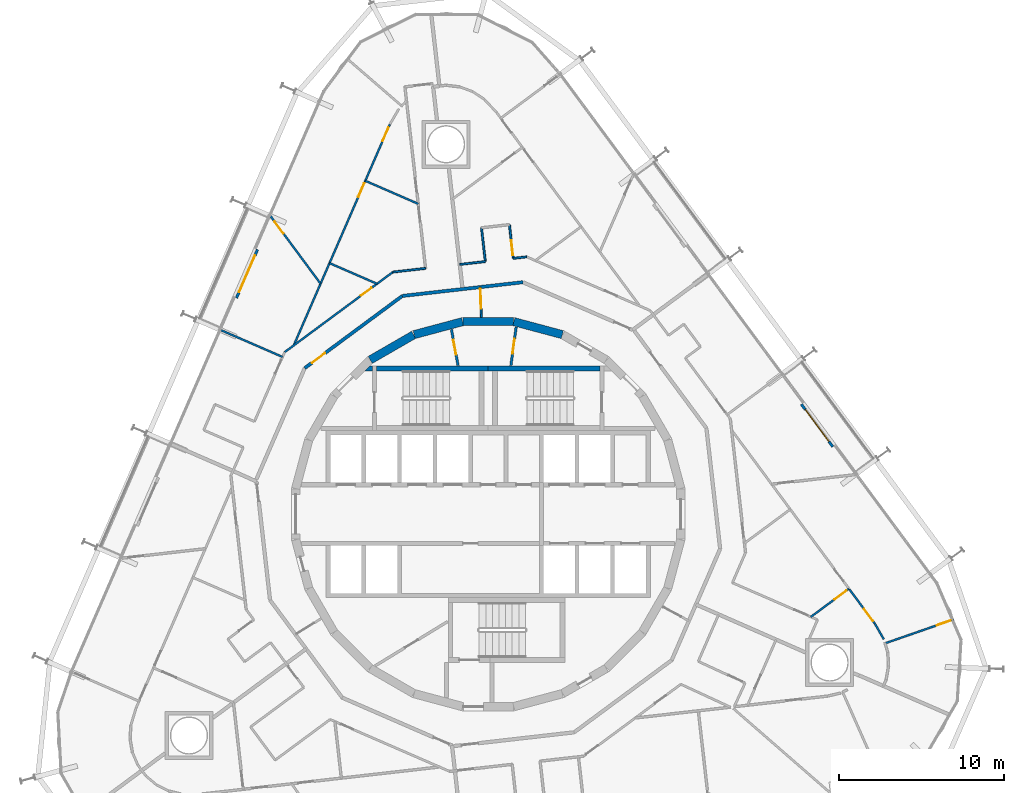
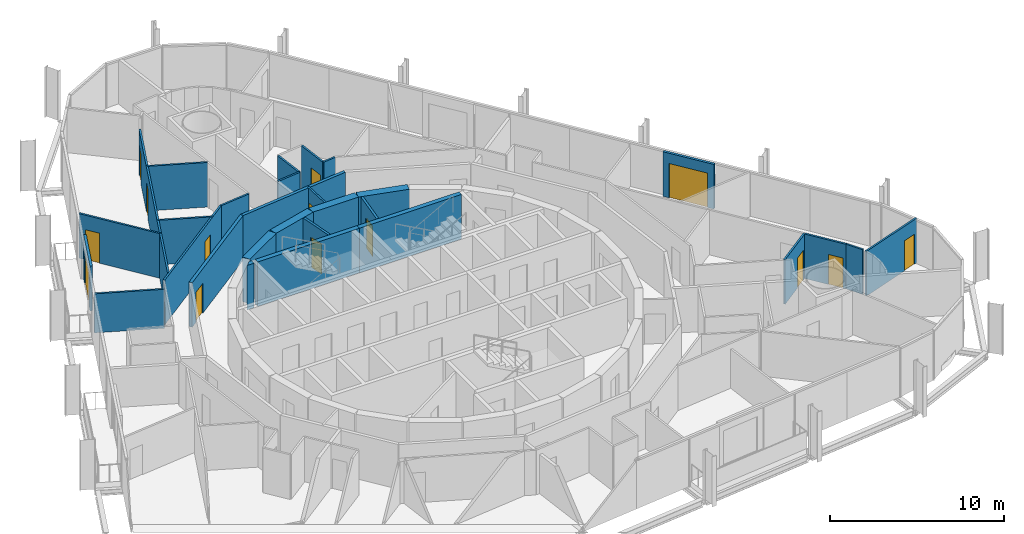
# One storey, part 18 of 21: 29 walls, 14 doors, 14 openings.
"""IFC4 building model written with IfcOpenShell, lengths in metres."""

from ifc_helpers import new_model, si_unit, direction, frame, frame_2d, origin, place, context, subcontext, project, spatial, polyline, rectangle, outline, extrude, material, layer, layer_set, type_object, element, fill, save


model = new_model("IFC4")

# Units and contexts
model_context = context("Model", 3, precision=1e-05, world=origin(), true_north=direction((0.0, 1.0)))
body_context = subcontext(model_context, "Body", "Model", "MODEL_VIEW")
ifc_project = project(units=[si_unit("LENGTHUNIT", "METRE"), si_unit("AREAUNIT", "SQUARE_METRE"), si_unit("VOLUMEUNIT", "CUBIC_METRE"), si_unit("PLANEANGLEUNIT", "RADIAN"), si_unit("MASSUNIT", "GRAM", prefix="KILO")], contexts=[model_context])

# Site, building, storey
site_placement = place(None, origin())
site = spatial("IfcSite", under=ifc_project, at=site_placement, CompositionType="ELEMENT")
building_placement = place(site_placement, origin())
building = spatial("IfcBuilding", under=site, at=building_placement, Name="Spindle Arch Residences", CompositionType="ELEMENT")
storey_placement = place(building_placement, frame((0.0, 0.0, 97.699951171875)))
storey = spatial("IfcBuildingStorey", under=building, at=storey_placement, Name="L23", CompositionType="ELEMENT", Elevation=97.699951171875)

# Walls
ifc_material_1 = material(Name="Concrete C50/60", Category="concrete")
ifc_layer_1 = layer(ifc_material_1, 0.5)
ifc_layer_set_1 = layer_set([ifc_layer_1], Name="Core outline wall 500")
wall_type_1 = type_object("IfcWallType", Name="Core outline wall 500", PredefinedType="SHEAR", material=ifc_layer_set_1)
for number, where, z_axis, x_axis, name in (
    (1, (4.479248046875, 10.858154296875, 0.0), (0.0, 0.0, 1.0), (-0.965948410781, 0.258734743916, 0.0), "Core outline wall 11"),
    (2, (1.516357421875, 11.647216796875, 0.0), (0.0, 0.0, 1.0), (-1.0, 0.0, 0.0), "Core outline wall 12"),
    (3, (-1.5498046875, 11.642822265625, 0.0), (0.0, 0.0, 1.0), (-0.965948410781, -0.258734743916, 0.0), "Core outline wall 13"),
    (4, (-4.510498046875, 10.84521484375, 0.0), (0.0, 0.0, 1.0), (-0.865975092491, -0.500087131594, 0.0), "Core outline wall 14"),
):
    element("IfcWall", number, at=place(storey_placement, frame(where, z_axis=z_axis, x_axis=x_axis)), inside=storey, type_object=wall_type_1, Name=name, PredefinedType="SHEAR", context=body_context, shape_type="SweptSolid", body=[
        extrude(rectangle(XDim=3.03271484375, YDim=0.5, at=frame_2d((1.516357421875, 0.0))), origin(), (0.0, 0.0, 1.0), 3.1201171875),
    ])

# Wall, opening, door
ifc_material_2 = material(Name="Plasterboard on steel studs", Category="steel")
ifc_layer_2 = layer(ifc_material_2, 0.1201171875)
ifc_layer_set_2 = layer_set([ifc_layer_2], Name="Corridor division wall 120")
wall_type_2 = type_object("IfcWallType", Name="Corridor division wall 120", PredefinedType="PARTITIONING", material=ifc_layer_set_2)
wall_1_placement = place(storey_placement, frame((-0.4794921875, 13.73388671875, 0.0), z_axis=(0.0, 0.0, 1.0), x_axis=(0.034805430832, -0.999394107439, 0.0)))
wall_1 = element("IfcWall", 5, at=wall_1_placement, inside=storey, type_object=wall_type_2, Name="Corridor division wall R2C0-W001", PredefinedType="PARTITIONING", context=body_context, shape_type="SweptSolid", body=[
    extrude(rectangle(XDim=1.837890625, YDim=0.1201171875, at=frame_2d((0.9189453125, 0.0))), origin(), (0.0, 0.0, 1.0), 3.1201171875),
])
opening_1_placement = place(wall_1_placement, frame((0.114990234375, 0.0, 0.0)))
opening_1 = element("IfcOpeningElement", 6, at=opening_1_placement, cuts=wall_1, Name="Opening R2C0-CD01", PredefinedType="OPENING", context=body_context, shape_type="SweptSolid", body=[
    extrude(rectangle(XDim=1.199951171875, YDim=2.10009765625, at=frame_2d((0.60009765625, 1.050048828125))), frame((0.0, 0.070068359375, 0.0), z_axis=(0.0, -1.0, 0.0), x_axis=(1.0, 0.0, 0.0)), (0.0, 0.0, 1.0), 0.14013671875),
])
ifc_material_3 = material(Name="Steel, fire-resisting door", Category="steel")
door_type_1 = type_object("IfcDoorType", Name="Corridor division door 1200x2100", OperationType="NOTDEFINED", PredefinedType="DOOR", material=ifc_material_3)
door_1_placement = place(opening_1_placement, origin())
door_1 = element("IfcDoor", 7, at=door_1_placement, inside=storey, type_object=door_type_1, Name="Corridor division door R2C0-CD01", OperationType="DOUBLE_DOOR_SINGLE_SWING", OverallHeight=2.10009765625, OverallWidth=1.199951171875, PredefinedType="DOOR", context=body_context, shape_type="SweptSolid", body=[
    extrude(rectangle(XDim=1.199951171875, YDim=2.10009765625, at=frame_2d((0.60009765625, 1.050048828125))), frame((0.0, 0.02490234375, 0.0), z_axis=(0.0, -1.0, 0.0), x_axis=(1.0, 0.0, 0.0)), (0.0, 0.0, 1.0), 0.050048828125),
])
fill(opening_1, door_1)

# Wall
ifc_material_4 = material(Name="Calcium silicate block, plastered")
ifc_layer_3 = layer(ifc_material_4, 0.199951171875)
ifc_layer_set_3 = layer_set([ifc_layer_3], Name="Corridor wall 200")
wall_type_3 = type_object("IfcWallType", Name="Corridor wall 200", PredefinedType="STANDARD", material=ifc_layer_set_3)
wall_2_placement = place(storey_placement, frame((2.096435546875, 14.027587890625, 0.0), z_axis=(0.0, 0.0, 1.0), x_axis=(-0.993569170114, -0.113226782163, 0.0)))
element("IfcWall", 8, at=wall_2_placement, inside=storey, type_object=wall_type_3, Name="Corridor wall R2C0-W008", PredefinedType="STANDARD", context=body_context, shape_type="SweptSolid", body=[
    extrude(rectangle(XDim=7.341796875, YDim=0.199951171875, at=frame_2d((3.6708984375, 0.0))), origin(), (0.0, 0.0, 1.0), 3.1201171875),
])

# Wall, opening, door
wall_3_placement = place(storey_placement, frame((-5.1982421875, 13.1962890625, 0.0), z_axis=(0.0, 0.0, 1.0), x_axis=(-0.803869883159, -0.594805187394, 0.0)))
wall_3 = element("IfcWall", 9, at=wall_3_placement, inside=storey, type_object=wall_type_3, Name="Corridor wall R2C0-W009", PredefinedType="STANDARD", context=body_context, shape_type="SweptSolid", body=[
    extrude(rectangle(XDim=7.341796875, YDim=0.199951171875, at=frame_2d((3.6708984375, 0.0))), origin(), (0.0, 0.0, 1.0), 3.1201171875),
])
opening_2_placement = place(wall_3_placement, frame((5.800048828125, 0.0, 0.0)))
opening_2 = element("IfcOpeningElement", 10, at=opening_2_placement, cuts=wall_3, Name="Opening R2C0-FD03", PredefinedType="OPENING", context=body_context, shape_type="SweptSolid", body=[
    extrude(rectangle(XDim=1.0, YDim=2.10009765625, at=frame_2d((0.5, 1.050048828125))), frame((0.0, 0.10986328125, 0.0), z_axis=(0.0, -1.0, 0.0), x_axis=(1.0, 0.0, 0.0)), (0.0, 0.0, 1.0), 0.219970703125),
])
ifc_material_5 = material(Name="Timber, fire-resisting door set", Category="wood")
door_type_2 = type_object("IfcDoorType", Name="Flat entrance door 1000x2100", OperationType="NOTDEFINED", PredefinedType="DOOR", material=ifc_material_5)
door_2_placement = place(opening_2_placement, origin())
door_2 = element("IfcDoor", 11, at=door_2_placement, inside=storey, type_object=door_type_2, Name="Flat entrance door R2C0-FD03", OperationType="SINGLE_SWING_LEFT", OverallHeight=2.10009765625, OverallWidth=1.0, PredefinedType="DOOR", context=body_context, shape_type="SweptSolid", body=[
    extrude(rectangle(XDim=1.0, YDim=2.10009765625, at=frame_2d((0.5, 1.050048828125))), frame((0.0, 0.02490234375, 0.0), z_axis=(0.0, -1.0, 0.0), x_axis=(1.0, 0.0, 0.0)), (0.0, 0.0, 1.0), 0.050048828125),
])
fill(opening_2, door_2)

ifc_material_6 = material(Name="Plasterboard on steel studs", Category="steel")
ifc_layer_4 = layer(ifc_material_6, 0.1201171875)
ifc_layer_set_4 = layer_set([ifc_layer_4], Name="Flat partition 120")
wall_type_4 = type_object("IfcWallType", Name="Flat partition 120", PredefinedType="PARTITIONING", material=ifc_layer_set_4)
wall_4_placement = place(storey_placement, frame((28.161865234375, -6.367919921875, 0.0), z_axis=(0.0, 0.0, 1.0), x_axis=(-0.94463429878, -0.328125039534, 0.0)))
wall_4 = element("IfcWall", 12, at=wall_4_placement, inside=storey, type_object=wall_type_4, Name="Flat partition R2C0-W046", PredefinedType="PARTITIONING", context=body_context, shape_type="SweptSolid", body=[
    extrude(rectangle(XDim=4.40478515625, YDim=0.1201171875, at=frame_2d((2.202392578125, 0.0))), origin(), (0.0, 0.0, 1.0), 3.1201171875),
])
opening_3_placement = place(wall_4_placement, frame((0.199951171875, 0.0, 0.0)))
opening_3 = element("IfcOpeningElement", 13, at=opening_3_placement, cuts=wall_4, Name="Opening R2C0-ID06", PredefinedType="OPENING", context=body_context, shape_type="SweptSolid", body=[
    extrude(rectangle(XDim=0.89990234375, YDim=2.10009765625, at=frame_2d((0.449951171875, 1.050048828125))), frame((0.0, 0.070068359375, 0.0), z_axis=(0.0, -1.0, 0.0), x_axis=(1.0, 0.0, 0.0)), (0.0, 0.0, 1.0), 0.14013671875),
])
ifc_material_7 = material(Name="Timber door set", Category="wood")
door_type_3 = type_object("IfcDoorType", Name="Room door 900x2100", OperationType="NOTDEFINED", PredefinedType="DOOR", material=ifc_material_7)
door_3_placement = place(opening_3_placement, origin())
door_3 = element("IfcDoor", 14, at=door_3_placement, inside=storey, type_object=door_type_3, Name="Room door R2C0-ID06", OperationType="SINGLE_SWING_LEFT", OverallHeight=2.10009765625, OverallWidth=0.89990234375, PredefinedType="DOOR", context=body_context, shape_type="SweptSolid", body=[
    extrude(rectangle(XDim=0.89990234375, YDim=2.10009765625, at=frame_2d((0.449951171875, 1.050048828125))), frame((0.0, 0.02490234375, 0.0), z_axis=(0.0, -1.0, 0.0), x_axis=(1.0, 0.0, 0.0)), (0.0, 0.0, 1.0), 0.050048828125),
])
fill(opening_3, door_3)

wall_5_placement = place(storey_placement, frame((21.818359375, -4.5078125, 0.0), z_axis=(0.0, 0.0, 1.0), x_axis=(-0.803875276339, -0.594797898526, 0.0)))
wall_5 = element("IfcWall", 15, at=wall_5_placement, inside=storey, type_object=wall_type_4, Name="Flat partition R2C0-W047", PredefinedType="PARTITIONING", context=body_context, shape_type="SweptSolid", body=[
    extrude(rectangle(XDim=2.867919921875, YDim=0.1201171875, at=frame_2d((1.43408203125, 0.0))), origin(), (0.0, 0.0, 1.0), 3.1201171875),
])
opening_4_placement = place(wall_5_placement, frame((0.199951171875, 0.0, 0.0)))
opening_4 = element("IfcOpeningElement", 16, at=opening_4_placement, cuts=wall_5, Name="Opening R2C0-ID03", PredefinedType="OPENING", context=body_context, shape_type="SweptSolid", body=[
    extrude(rectangle(XDim=0.89990234375, YDim=2.10009765625, at=frame_2d((0.449951171875, 1.050048828125))), frame((0.0, 0.070068359375, 0.0), z_axis=(0.0, -1.0, 0.0), x_axis=(1.0, 0.0, 0.0)), (0.0, 0.0, 1.0), 0.14013671875),
])
door_4_placement = place(opening_4_placement, origin())
door_4 = element("IfcDoor", 17, at=door_4_placement, inside=storey, type_object=door_type_3, Name="Room door R2C0-ID03", OperationType="SINGLE_SWING_LEFT", OverallHeight=2.10009765625, OverallWidth=0.89990234375, PredefinedType="DOOR", context=body_context, shape_type="SweptSolid", body=[
    extrude(rectangle(XDim=0.89990234375, YDim=2.10009765625, at=frame_2d((0.449951171875, 1.050048828125))), frame((0.0, 0.02490234375, 0.0), z_axis=(0.0, -1.0, 0.0), x_axis=(1.0, 0.0, 0.0)), (0.0, 0.0, 1.0), 0.050048828125),
])
fill(opening_4, door_4)

# Wall
wall_6_placement = place(storey_placement, frame((23.9296875, -7.573486328125, 0.0), z_axis=(0.0, 0.0, 1.0), x_axis=(-0.497348044937, 0.867551106389, 0.0)))
element("IfcWall", 18, at=wall_6_placement, inside=storey, type_object=wall_type_4, Name="Flat partition R2C0-W048", PredefinedType="PARTITIONING", context=body_context, shape_type="SweptSolid", body=[
    extrude(rectangle(XDim=1.0869140625, YDim=0.1201171875, at=frame_2d((0.54345703125, 0.0))), origin(), (0.0, 0.0, 1.0), 3.1201171875),
])

# Wall, opening, door
wall_7_placement = place(storey_placement, frame((23.38916015625, -6.630615234375, 0.0), z_axis=(0.0, 0.0, 1.0), x_axis=(-0.594821170528, 0.803858056557, 0.0)))
wall_7 = element("IfcWall", 19, at=wall_7_placement, inside=storey, type_object=wall_type_4, Name="Flat partition R2C0-W049", PredefinedType="PARTITIONING", context=body_context, shape_type="SweptSolid", body=[
    extrude(rectangle(XDim=2.60107421875, YDim=0.1201171875, at=frame_2d((1.300537109375, 0.0))), origin(), (0.0, 0.0, 1.0), 3.1201171875),
])
opening_5_placement = place(wall_7_placement, frame((0.199951171875, 0.0, 0.0)))
opening_5 = element("IfcOpeningElement", 20, at=opening_5_placement, cuts=wall_7, Name="Opening R2C0-ID07", PredefinedType="OPENING", context=body_context, shape_type="SweptSolid", body=[
    extrude(rectangle(XDim=0.89990234375, YDim=2.10009765625, at=frame_2d((0.449951171875, 1.050048828125))), frame((0.0, 0.070068359375, 0.0), z_axis=(0.0, -1.0, 0.0), x_axis=(1.0, 0.0, 0.0)), (0.0, 0.0, 1.0), 0.14013671875),
])
door_5_placement = place(opening_5_placement, origin())
door_5 = element("IfcDoor", 21, at=door_5_placement, inside=storey, type_object=door_type_3, Name="Room door R2C0-ID07", OperationType="SINGLE_SWING_RIGHT", OverallHeight=2.10009765625, OverallWidth=0.89990234375, PredefinedType="DOOR", context=body_context, shape_type="SweptSolid", body=[
    extrude(rectangle(XDim=0.89990234375, YDim=2.10009765625, at=frame_2d((0.449951171875, 1.050048828125))), frame((0.0, 0.02490234375, 0.0), z_axis=(0.0, -1.0, 0.0), x_axis=(1.0, 0.0, 0.0)), (0.0, 0.0, 1.0), 0.050048828125),
])
fill(opening_5, door_5)

# Wall
wall_8_placement = place(storey_placement, frame((2.325927734375, 15.563232421875, 0.0), z_axis=(0.0, 0.0, 1.0), x_axis=(-0.993570169982, -0.113218007944, 0.0)))
element("IfcWall", 22, at=wall_8_placement, inside=storey, type_object=wall_type_4, Name="Flat partition R2C0-W051", PredefinedType="PARTITIONING", context=body_context, shape_type="SweptSolid", body=[
    extrude(rectangle(XDim=0.8173828125, YDim=0.1201171875, at=frame_2d((0.40869140625, 0.0))), origin(), (0.0, 0.0, 1.0), 3.1201171875),
])

# Wall, opening, door
wall_9_placement = place(storey_placement, frame((1.513916015625, 15.470703125, 0.0), z_axis=(0.0, 0.0, 1.0), x_axis=(-0.113301814952, 0.993560616535, 0.0)))
wall_9 = element("IfcWall", 23, at=wall_9_placement, inside=storey, type_object=wall_type_4, Name="Flat partition R2C0-W052", PredefinedType="PARTITIONING", context=body_context, shape_type="SweptSolid", body=[
    extrude(rectangle(XDim=2.053466796875, YDim=0.1201171875, at=frame_2d((1.02685546875, 0.0))), origin(), (0.0, 0.0, 1.0), 3.1201171875),
])
opening_6_placement = place(wall_9_placement, frame((0.199951171875, 0.0, 0.0)))
opening_6 = element("IfcOpeningElement", 24, at=opening_6_placement, cuts=wall_9, Name="Opening R2C0-ID08", PredefinedType="OPENING", context=body_context, shape_type="SweptSolid", body=[
    extrude(rectangle(XDim=0.89990234375, YDim=2.10009765625, at=frame_2d((0.449951171875, 1.050048828125))), frame((0.0, 0.070068359375, 0.0), z_axis=(0.0, -1.0, 0.0), x_axis=(1.0, 0.0, 0.0)), (0.0, 0.0, 1.0), 0.14013671875),
])
door_6_placement = place(opening_6_placement, origin())
door_6 = element("IfcDoor", 25, at=door_6_placement, inside=storey, type_object=door_type_3, Name="Room door R2C0-ID08", OperationType="SINGLE_SWING_RIGHT", OverallHeight=2.10009765625, OverallWidth=0.89990234375, PredefinedType="DOOR", context=body_context, shape_type="SweptSolid", body=[
    extrude(rectangle(XDim=0.89990234375, YDim=2.10009765625, at=frame_2d((0.449951171875, 1.050048828125))), frame((0.0, 0.02490234375, 0.0), z_axis=(0.0, -1.0, 0.0), x_axis=(1.0, 0.0, 0.0)), (0.0, 0.0, 1.0), 0.050048828125),
])
fill(opening_6, door_6)

# Walls
wall_10_placement = place(storey_placement, frame((-0.40771484375, 17.318603515625, 0.0), z_axis=(0.0, 0.0, 1.0), x_axis=(0.113184449176, -0.993573993452, 0.0)))
element("IfcWall", 26, at=wall_10_placement, inside=storey, type_object=wall_type_4, Name="Flat partition R2C0-W054", PredefinedType="PARTITIONING", context=body_context, shape_type="SweptSolid", body=[
    extrude(rectangle(XDim=2.053466796875, YDim=0.1201171875, at=frame_2d((1.02685546875, 0.0))), origin(), (0.0, 0.0, 1.0), 3.1201171875),
])
wall_11_placement = place(storey_placement, frame((-0.17529296875, 15.2783203125, 0.0), z_axis=(0.0, 0.0, 1.0), x_axis=(-0.993575604955, -0.113170301923, 0.0)))
element("IfcWall", 27, at=wall_11_placement, inside=storey, type_object=wall_type_4, Name="Flat partition R2C0-W055", PredefinedType="PARTITIONING", context=body_context, shape_type="SweptSolid", body=[
    extrude(rectangle(XDim=1.555419921875, YDim=0.1201171875, at=frame_2d((0.77783203125, 0.0))), origin(), (0.0, 0.0, 1.0), 3.1201171875),
])
wall_12_placement = place(storey_placement, frame((-3.78955078125, 14.86669921875, 0.0), z_axis=(0.0, 0.0, 1.0), x_axis=(-0.993557948123, -0.113325212204, 0.0)))
element("IfcWall", 28, at=wall_12_placement, inside=storey, type_object=wall_type_4, Name="Flat partition R2C0-W068", PredefinedType="PARTITIONING", context=body_context, shape_type="SweptSolid", body=[
    extrude(rectangle(XDim=1.99072265625, YDim=0.1201171875, at=frame_2d((0.995361328125, 0.0))), origin(), (0.0, 0.0, 1.0), 3.1201171875),
])

# Wall, opening, door
wall_13_placement = place(storey_placement, frame((-5.767333984375, 14.64111328125, 0.0), z_axis=(0.0, 0.0, 1.0), x_axis=(-0.803853364238, -0.594827511807, 0.0)))
wall_13 = element("IfcWall", 29, at=wall_13_placement, inside=storey, type_object=wall_type_4, Name="Flat partition R2C0-W069", PredefinedType="PARTITIONING", context=body_context, shape_type="SweptSolid", body=[
    extrude(rectangle(XDim=8.1455078125, YDim=0.1201171875, at=frame_2d((4.07275390625, 0.0))), origin(), (0.0, 0.0, 1.0), 3.1201171875),
])
opening_7_placement = place(wall_13_placement, frame((1.591796875, 0.0, 0.0)))
opening_7 = element("IfcOpeningElement", 30, at=opening_7_placement, cuts=wall_13, Name="Opening R2C0-BD03", PredefinedType="OPENING", context=body_context, shape_type="SweptSolid", body=[
    extrude(rectangle(XDim=0.800048828125, YDim=2.10009765625, at=frame_2d((0.39990234375, 1.050048828125))), frame((0.0, 0.070068359375, 0.0), z_axis=(0.0, -1.0, 0.0), x_axis=(1.0, 0.0, 0.0)), (0.0, 0.0, 1.0), 0.14013671875),
])
ifc_material_8 = material(Name="Timber door set", Category="wood")
door_type_4 = type_object("IfcDoorType", Name="Bathroom door 800x2100", OperationType="NOTDEFINED", PredefinedType="DOOR", material=ifc_material_8)
door_7_placement = place(opening_7_placement, origin())
door_7 = element("IfcDoor", 31, at=door_7_placement, inside=storey, type_object=door_type_4, Name="Bathroom door R2C0-BD03", OperationType="SINGLE_SWING_LEFT", OverallHeight=2.10009765625, OverallWidth=0.800048828125, PredefinedType="DOOR", context=body_context, shape_type="SweptSolid", body=[
    extrude(rectangle(XDim=0.800048828125, YDim=2.10009765625, at=frame_2d((0.39990234375, 1.050048828125))), frame((0.0, 0.02490234375, 0.0), z_axis=(0.0, -1.0, 0.0), x_axis=(1.0, 0.0, 0.0)), (0.0, 0.0, 1.0), 0.050048828125),
])
fill(opening_7, door_7)

# Wall
wall_14_placement = place(storey_placement, frame((-7.43505859375, 20.160888671875, 0.0), z_axis=(0.0, 0.0, 1.0), x_axis=(0.917055599503, -0.398759360291, 0.0)))
element("IfcWall", 32, at=wall_14_placement, inside=storey, type_object=wall_type_4, Name="Flat partition R2C0-W077", PredefinedType="PARTITIONING", context=body_context, shape_type="SweptSolid", body=[
    extrude(rectangle(XDim=3.490478515625, YDim=0.1201171875, at=frame_2d((1.7451171875, 0.0))), origin(), (0.0, 0.0, 1.0), 3.1201171875),
])

# Wall, openings, doors
wall_15_placement = place(storey_placement, frame((-5.952392578125, 23.57080078125, 0.0), z_axis=(0.0, 0.0, 1.0), x_axis=(-0.398745097158, -0.917061801348, 0.0)))
wall_15 = element("IfcWall", 33, at=wall_15_placement, inside=storey, type_object=wall_type_4, Name="Flat partition R2C0-W079", PredefinedType="PARTITIONING", context=body_context, shape_type="SweptSolid", body=[
    extrude(rectangle(XDim=14.576416015625, YDim=0.1201171875, at=frame_2d((7.2880859375, 0.0))), origin(), (0.0, 0.0, 1.0), 3.1201171875),
])
opening_8_placement = place(wall_15_placement, frame((3.878173828125, 0.0, 0.0)))
opening_8 = element("IfcOpeningElement", 34, at=opening_8_placement, cuts=wall_15, Name="Opening R2C0-ID18", PredefinedType="OPENING", context=body_context, shape_type="SweptSolid", body=[
    extrude(rectangle(XDim=0.89990234375, YDim=2.10009765625, at=frame_2d((0.449951171875, 1.050048828125))), frame((0.0, 0.070068359375, 0.0), z_axis=(0.0, -1.0, 0.0), x_axis=(1.0, 0.0, 0.0)), (0.0, 0.0, 1.0), 0.14013671875),
])
opening_9_placement = place(wall_15_placement, frame((0.199951171875, 0.0, 0.0)))
opening_9 = element("IfcOpeningElement", 35, at=opening_9_placement, cuts=wall_15, Name="Opening R2C0-ID20", PredefinedType="OPENING", context=body_context, shape_type="SweptSolid", body=[
    extrude(rectangle(XDim=0.89990234375, YDim=2.10009765625, at=frame_2d((0.449951171875, 1.050048828125))), frame((0.0, 0.070068359375, 0.0), z_axis=(0.0, -1.0, 0.0), x_axis=(1.0, 0.0, 0.0)), (0.0, 0.0, 1.0), 0.14013671875),
])
door_8_placement = place(opening_8_placement, origin())
door_8 = element("IfcDoor", 36, at=door_8_placement, inside=storey, type_object=door_type_3, Name="Room door R2C0-ID18", OperationType="SINGLE_SWING_LEFT", OverallHeight=2.10009765625, OverallWidth=0.89990234375, PredefinedType="DOOR", context=body_context, shape_type="SweptSolid", body=[
    extrude(rectangle(XDim=0.89990234375, YDim=2.10009765625, at=frame_2d((0.449951171875, 1.050048828125))), frame((0.0, 0.02490234375, 0.0), z_axis=(0.0, -1.0, 0.0), x_axis=(1.0, 0.0, 0.0)), (0.0, 0.0, 1.0), 0.050048828125),
])
fill(opening_8, door_8)
door_9_placement = place(opening_9_placement, origin())
door_9 = element("IfcDoor", 37, at=door_9_placement, inside=storey, type_object=door_type_3, Name="Room door R2C0-ID20", OperationType="SINGLE_SWING_RIGHT", OverallHeight=2.10009765625, OverallWidth=0.89990234375, PredefinedType="DOOR", context=body_context, shape_type="SweptSolid", body=[
    extrude(rectangle(XDim=0.89990234375, YDim=2.10009765625, at=frame_2d((0.449951171875, 1.050048828125))), frame((0.0, 0.02490234375, 0.0), z_axis=(0.0, -1.0, 0.0), x_axis=(1.0, 0.0, 0.0)), (0.0, 0.0, 1.0), 0.050048828125),
])
fill(opening_9, door_9)

# Wall
wall_16_placement = place(storey_placement, frame((-9.599853515625, 15.18212890625, 0.0), z_axis=(0.0, 0.0, 1.0), x_axis=(0.917073771145, -0.398717567054, 0.0)))
element("IfcWall", 38, at=wall_16_placement, inside=storey, type_object=wall_type_4, Name="Flat partition R2C0-W080", PredefinedType="PARTITIONING", context=body_context, shape_type="SweptSolid", body=[
    extrude(rectangle(XDim=3.134521484375, YDim=0.1201171875, at=frame_2d((1.5673828125, 0.0))), origin(), (0.0, 0.0, 1.0), 3.1201171875),
])

# Wall, opening, door
wall_17_placement = place(storey_placement, frame((-13.1630859375, 18.021728515625, 0.0), z_axis=(0.0, 0.0, 1.0), x_axis=(0.594797671626, -0.803875444226, 0.0)))
wall_17 = element("IfcWall", 39, at=wall_17_placement, inside=storey, type_object=wall_type_4, Name="Flat partition R2C0-W081", PredefinedType="PARTITIONING", context=body_context, shape_type="SweptSolid", body=[
    extrude(rectangle(XDim=5.08056640625, YDim=0.1201171875, at=frame_2d((2.540283203125, 0.0))), origin(), (0.0, 0.0, 1.0), 3.1201171875),
])
opening_10_placement = place(wall_17_placement, frame((0.39990234375, 0.0, 0.0)))
opening_10 = element("IfcOpeningElement", 40, at=opening_10_placement, cuts=wall_17, Name="Opening R2C0-ID19", PredefinedType="OPENING", context=body_context, shape_type="SweptSolid", body=[
    extrude(rectangle(XDim=0.89990234375, YDim=2.10009765625, at=frame_2d((0.449951171875, 1.050048828125))), frame((0.0, 0.070068359375, 0.0), z_axis=(0.0, -1.0, 0.0), x_axis=(1.0, 0.0, 0.0)), (0.0, 0.0, 1.0), 0.14013671875),
])
door_10_placement = place(opening_10_placement, origin())
door_10 = element("IfcDoor", 41, at=door_10_placement, inside=storey, type_object=door_type_3, Name="Room door R2C0-ID19", OperationType="SINGLE_SWING_RIGHT", OverallHeight=2.10009765625, OverallWidth=0.89990234375, PredefinedType="DOOR", context=body_context, shape_type="SweptSolid", body=[
    extrude(rectangle(XDim=0.89990234375, YDim=2.10009765625, at=frame_2d((0.449951171875, 1.050048828125))), frame((0.0, 0.02490234375, 0.0), z_axis=(0.0, -1.0, 0.0), x_axis=(1.0, 0.0, 0.0)), (0.0, 0.0, 1.0), 0.050048828125),
])
fill(opening_10, door_10)

# Wall
ifc_material_9 = material(Name="Plasterboard on steel studs", Category="steel")
ifc_layer_5 = layer(ifc_material_9, 0.1201171875)
ifc_layer_set_5 = layer_set([ifc_layer_5], Name="Flat partition 120 under beam 2730")
wall_type_5 = type_object("IfcWallType", Name="Flat partition 120 under beam 2730", PredefinedType="PARTITIONING", material=ifc_layer_set_5)
wall_18_placement = place(storey_placement, frame((-16.1611328125, 11.12646484375, 0.0), z_axis=(0.0, 0.0, 1.0), x_axis=(0.91705953326, -0.398750313425, 0.0)))
element("IfcWall", 42, at=wall_18_placement, inside=storey, type_object=wall_type_5, Name="Flat partition R2C0-W082", PredefinedType="PARTITIONING", context=body_context, shape_type="SweptSolid", body=[
    extrude(rectangle(XDim=4.057373046875, YDim=0.1201171875, at=frame_2d((2.02880859375, 0.0))), origin(), (0.0, 0.0, 1.0), 2.72998046875),
])

# Wall, opening, door
ifc_material_10 = material(Name="Non-combustible mineral wool insulated aluminium faced external wall (K0)", Category="aluminium")
ifc_layer_6 = layer(ifc_material_10, 0.159912109375)
ifc_layer_set_6 = layer_set([ifc_layer_6], Name="Insulated external wall panel 160")
wall_type_6 = type_object("IfcWallType", Name="Insulated external wall panel 160", PredefinedType="STANDARD", material=ifc_layer_set_6)
wall_19_placement = place(storey_placement, frame((20.840087890625, 4.076904296875, 0.0), z_axis=(0.0, 0.0, 1.0), x_axis=(-0.594824273168, 0.803855760725, 0.0)))
wall_19 = element("IfcWall", 43, at=wall_19_placement, inside=storey, type_object=wall_type_6, Name="External wall L23 bay 7", PredefinedType="STANDARD", context=body_context, shape_type="SweptSolid", body=[
    extrude(rectangle(XDim=3.2001953125, YDim=0.159912109375, at=frame_2d((1.60009765625, 0.0))), origin(), (0.0, 0.0, 1.0), 3.1201171875),
])
opening_11_placement = place(wall_19_placement, frame((0.39990234375, 0.0, 0.0)))
opening_11 = element("IfcOpeningElement", 44, at=opening_11_placement, cuts=wall_19, Name="Opening BD07", PredefinedType="OPENING", context=body_context, shape_type="SweptSolid", body=[
    extrude(rectangle(XDim=2.39990234375, YDim=2.39990234375, at=frame_2d((1.199951171875, 1.199951171875))), frame((0.0, 0.08984375, 0.0), z_axis=(0.0, -1.0, 0.0), x_axis=(1.0, 0.0, 0.0)), (0.0, 0.0, 1.0), 0.179931640625),
])
ifc_material_11 = material(Name="Bronze aluminium frame, tinted double glazing", Category="aluminium")
door_type_5 = type_object("IfcDoorType", Name="Sliding glazed balcony door 2400x2400", OperationType="DOUBLE_DOOR_SLIDING", PredefinedType="DOOR", material=ifc_material_11)
door_11_placement = place(opening_11_placement, origin())
door_11 = element("IfcDoor", 45, at=door_11_placement, inside=storey, type_object=door_type_5, Name="Balcony door BD07", OperationType="DOUBLE_DOOR_SLIDING", OverallHeight=2.39990234375, OverallWidth=2.39990234375, PredefinedType="DOOR", context=body_context, shape_type="SweptSolid", body=[
    extrude(rectangle(XDim=2.39990234375, YDim=2.39990234375, at=frame_2d((1.199951171875, 1.199951171875))), frame((0.0, 0.02490234375, 0.0), z_axis=(0.0, -1.0, 0.0), x_axis=(1.0, 0.0, 0.0)), (0.0, 0.0, 1.0), 0.050048828125),
])
fill(opening_11, door_11)

wall_20_placement = place(storey_placement, frame((-13.950927734375, 16.009521484375, 0.0), z_axis=(0.0, 0.0, 1.0), x_axis=(-0.398720531764, -0.917072482168, 0.0)))
wall_20 = element("IfcWall", 46, at=wall_20_placement, inside=storey, type_object=wall_type_6, Name="External wall L23 bay 15", PredefinedType="STANDARD", context=body_context, shape_type="SweptSolid", body=[
    extrude(rectangle(XDim=3.199951171875, YDim=0.159912109375, at=frame_2d((1.60009765625, 0.0))), origin(), (0.0, 0.0, 1.0), 3.1201171875),
])
opening_12_placement = place(wall_20_placement, frame((0.39990234375, 0.0, 0.0)))
opening_12 = element("IfcOpeningElement", 47, at=opening_12_placement, cuts=wall_20, Name="Opening BD15", PredefinedType="OPENING", context=body_context, shape_type="SweptSolid", body=[
    extrude(rectangle(XDim=2.39990234375, YDim=2.39990234375, at=frame_2d((1.199951171875, 1.199951171875))), frame((0.0, 0.08984375, 0.0), z_axis=(0.0, -1.0, 0.0), x_axis=(1.0, 0.0, 0.0)), (0.0, 0.0, 1.0), 0.179931640625),
])
door_12_placement = place(opening_12_placement, origin())
door_12 = element("IfcDoor", 48, at=door_12_placement, inside=storey, type_object=door_type_5, Name="Balcony door BD15", OperationType="DOUBLE_DOOR_SLIDING", OverallHeight=2.39990234375, OverallWidth=2.39990234375, PredefinedType="DOOR", context=body_context, shape_type="SweptSolid", body=[
    extrude(rectangle(XDim=2.39990234375, YDim=2.39990234375, at=frame_2d((1.199951171875, 1.199951171875))), frame((0.0, 0.02490234375, 0.0), z_axis=(0.0, -1.0, 0.0), x_axis=(1.0, 0.0, 0.0)), (0.0, 0.0, 1.0), 0.050048828125),
])
fill(opening_12, door_12)

ifc_material_12 = material(Name="Concrete C25/30", Category="concrete")
ifc_layer_7 = layer(ifc_material_12, 0.14990234375)
ifc_layer_set_7 = layer_set([ifc_layer_7], Name="Service room partition 150")
wall_type_7 = type_object("IfcWallType", Name="Service room partition 150", PredefinedType="PARTITIONING", material=ifc_layer_set_7)
wall_21_placement = place(storey_placement, frame((1.69091796875, 11.32568359375, 0.0), z_axis=(0.0, 0.0, 1.0), x_axis=(-0.135344253201, -0.990798633994, 0.0)))
wall_21 = element("IfcWall", 49, at=wall_21_placement, inside=storey, type_object=wall_type_7, Name="Core service room partition", PredefinedType="PARTITIONING", context=body_context, shape_type="SweptSolid", body=[
    extrude(rectangle(XDim=2.357666015625, YDim=0.14990234375, at=frame_2d((1.1787109375, 0.0))), origin(), (0.0, 0.0, 1.0), 3.1201171875),
])
opening_13_placement = place(wall_21_placement, frame((0.728759765625, 0.0, 0.0)))
opening_13 = element("IfcOpeningElement", 50, at=opening_13_placement, cuts=wall_21, Name="Opening R2C0-WD06", PredefinedType="OPENING", context=body_context, shape_type="SweptSolid", body=[
    extrude(rectangle(XDim=0.89990234375, YDim=2.10009765625, at=frame_2d((0.449951171875, 1.050048828125))), frame((0.0, 0.0849609375, 0.0), z_axis=(0.0, -1.0, 0.0), x_axis=(1.0, 0.0, 0.0)), (0.0, 0.0, 1.0), 0.169921875),
])
ifc_material_13 = material(Name="Steel, fire-resisting door", Category="steel")
door_type_6 = type_object("IfcDoorType", Name="Service room door 900x2100", OperationType="SINGLE_SWING_LEFT", PredefinedType="DOOR", material=ifc_material_13)
door_13_placement = place(opening_13_placement, origin())
door_13 = element("IfcDoor", 51, at=door_13_placement, inside=storey, type_object=door_type_6, Name="Service room door R2C0-WD06", OperationType="SINGLE_SWING_LEFT", OverallHeight=2.10009765625, OverallWidth=0.89990234375, PredefinedType="DOOR", context=body_context, shape_type="SweptSolid", body=[
    extrude(rectangle(XDim=0.89990234375, YDim=2.10009765625, at=frame_2d((0.449951171875, 1.050048828125))), frame((0.0, 0.02490234375, 0.0), z_axis=(0.0, -1.0, 0.0), x_axis=(1.0, 0.0, 0.0)), (0.0, 0.0, 1.0), 0.050048828125),
])
fill(opening_13, door_13)

wall_22_placement = place(storey_placement, frame((-1.824951171875, 8.98974609375, 0.0), z_axis=(0.0, 0.0, 1.0), x_axis=(-0.179955206115, 0.983674805915, 0.0)))
wall_22 = element("IfcWall", 52, at=wall_22_placement, inside=storey, type_object=wall_type_7, Name="Core service room partition", PredefinedType="PARTITIONING", context=body_context, shape_type="SweptSolid", body=[
    extrude(rectangle(XDim=2.22900390625, YDim=0.14990234375, at=frame_2d((1.114501953125, 0.0))), origin(), (0.0, 0.0, 1.0), 3.1201171875),
])
opening_14_placement = place(wall_22_placement, frame((0.66455078125, 0.0, 0.0)))
opening_14 = element("IfcOpeningElement", 53, at=opening_14_placement, cuts=wall_22, Name="Opening R2C0-WD07", PredefinedType="OPENING", context=body_context, shape_type="SweptSolid", body=[
    extrude(rectangle(XDim=0.89990234375, YDim=2.10009765625, at=frame_2d((0.449951171875, 1.050048828125))), frame((0.0, 0.0849609375, 0.0), z_axis=(0.0, -1.0, 0.0), x_axis=(1.0, 0.0, 0.0)), (0.0, 0.0, 1.0), 0.169921875),
])
door_14_placement = place(opening_14_placement, origin())
door_14 = element("IfcDoor", 54, at=door_14_placement, inside=storey, type_object=door_type_6, Name="Service room door R2C0-WD07", OperationType="SINGLE_SWING_RIGHT", OverallHeight=2.10009765625, OverallWidth=0.89990234375, PredefinedType="DOOR", context=body_context, shape_type="SweptSolid", body=[
    extrude(rectangle(XDim=0.89990234375, YDim=2.10009765625, at=frame_2d((0.449951171875, 1.050048828125))), frame((0.0, 0.02490234375, 0.0), z_axis=(0.0, -1.0, 0.0), x_axis=(1.0, 0.0, 0.0)), (0.0, 0.0, 1.0), 0.050048828125),
])
fill(opening_14, door_14)

# Walls
ifc_material_14 = material(Name="Concrete C40/50", Category="concrete")
wall_type_8 = type_object("IfcWallType", Name="Stair airlock wall profile", PredefinedType="SHEAR", material=ifc_material_14)
wall_23_placement = place(storey_placement, origin())
element("IfcWall", 55, at=wall_23_placement, inside=storey, type_object=wall_type_8, Name="Stair ST-2 airlock wall N", PredefinedType="SHEAR", context=body_context, shape_type="SweptSolid", body=[
    extrude(outline(polyline([(-7.148193359375, 8.969970703125), (-7.0, 8.969970703125), (-7.0, 8.669921875), (-7.4482421875, 8.669921875), (-7.148193359375, 8.969970703125)])), origin(), (0.0, 0.0, 1.0), 3.1201171875),
])
ifc_material_15 = material(Name="Concrete C50/60", Category="concrete")
ifc_layer_8 = layer(ifc_material_15, 0.300048828125)
ifc_layer_set_8 = layer_set([ifc_layer_8], Name="Stair enclosure wall 300")
wall_type_9 = type_object("IfcWallType", Name="Stair enclosure wall 300", PredefinedType="SHEAR", material=ifc_layer_set_8)
for number, where, z_axis, x_axis, name in (
    (56, (0.0, 8.820068359375, 0.0), (0.0, 0.0, 1.0), (1.0, 0.0, 0.0), "Stair ST-1 enclosure wall N"),
    (57, (-6.75, 8.820068359375, 0.0), (0.0, 0.0, 1.0), (1.0, 0.0, 0.0), "Stair ST-2 enclosure wall N"),
):
    element("IfcWall", number, at=place(storey_placement, frame(where, z_axis=z_axis, x_axis=x_axis)), inside=storey, type_object=wall_type_9, Name=name, PredefinedType="SHEAR", context=body_context, shape_type="SweptSolid", body=[
        extrude(rectangle(XDim=6.75, YDim=0.300048828125, at=frame_2d((3.375, 0.0))), origin(), (0.0, 0.0, 1.0), 3.1201171875),
    ])

save(model, "model.ifc")
